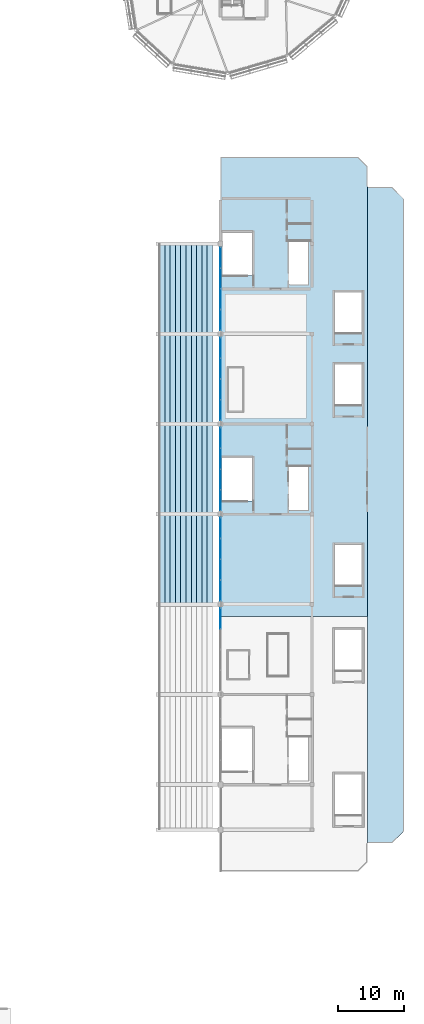
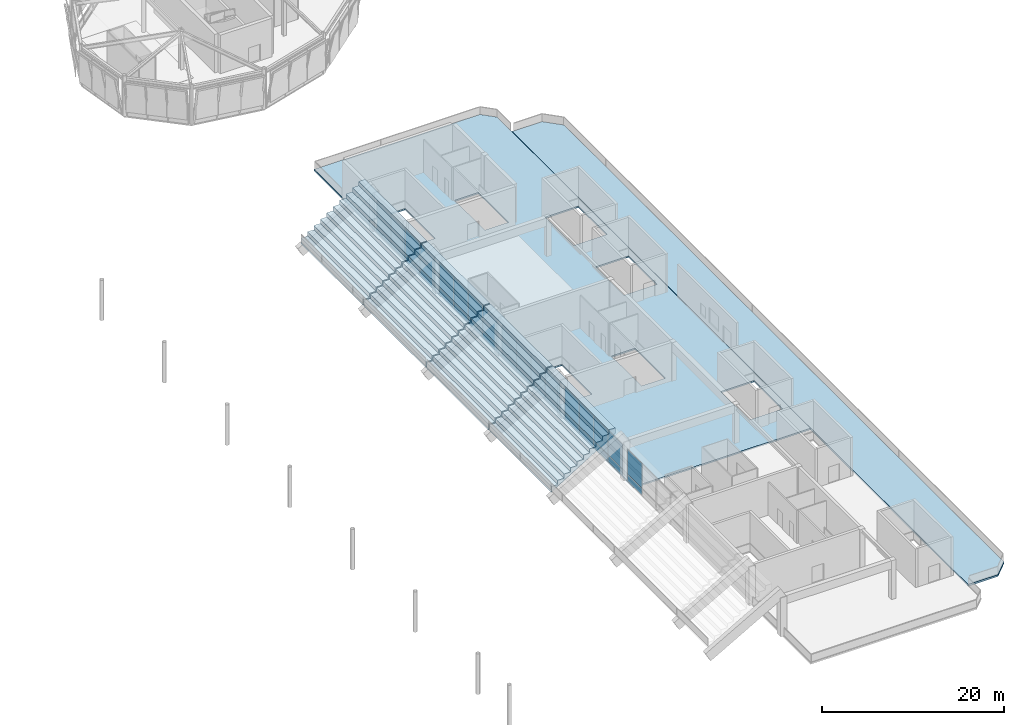
# One storey, part 62 of 90: 34 plates, 6 slabs, 5 elements without a shape of their own.
"""IFC4 building model written with IfcOpenShell, lengths in metres."""

from ifc_helpers import new_model, si_unit, direction, frame, origin, origin_2d, place, context, subcontext, project, spatial, polyline, rectangle, outline, extrude, material, layer, layer_set, type_object, element, aggregate, save


model = new_model("IFC4")

# Units and contexts
model_context = context("Model", 3, precision=1e-05, world=origin(), true_north=direction((0.0, 1.0)))
body_context = subcontext(model_context, "Body", "Model", "MODEL_VIEW")
ifc_project = project(units=[si_unit("LENGTHUNIT", "METRE"), si_unit("AREAUNIT", "SQUARE_METRE"), si_unit("VOLUMEUNIT", "CUBIC_METRE"), si_unit("PLANEANGLEUNIT", "RADIAN"), si_unit("MASSUNIT", "GRAM", prefix="KILO")], contexts=[model_context])

# Site, building, storey
site_placement = place(None, origin())
site = spatial("IfcSite", under=ifc_project, at=site_placement, CompositionType="ELEMENT")
building_placement = place(site_placement, origin())
building = spatial("IfcBuilding", under=site, at=building_placement, Name="Linyun Crest Stadium", CompositionType="ELEMENT")
storey_placement = place(building_placement, frame((0.0, 0.0, 21.0)))
storey = spatial("IfcBuildingStorey", under=building, at=storey_placement, Name="L05", CompositionType="ELEMENT", Elevation=21.0)

# Slab
ifc_material_1 = material(Name="Concrete C40", Category="concrete")
ifc_layer_1 = layer(ifc_material_1, 0.199951171875)
ifc_layer_set_1 = layer_set([ifc_layer_1], Name="Concrete C40")
slab_type_1 = type_object("IfcSlabType", Name="FS02", PredefinedType="FLOOR", material=ifc_layer_set_1)
slab_1_placement = place(storey_placement, frame((0.0, 0.0, -0.199951171875)))
element("IfcSlab", 1, at=slab_1_placement, inside=storey, type_object=slab_type_1, Name="Slab FS02 V2 L05 27", PredefinedType="FLOOR", context=body_context, shape_type="SweptSolid", body=[
    extrude(outline(polyline([(70.0, -13.489990234375), (92.39990234375, -13.489990234375), (92.39990234375, 55.18505859375), (91.0, 56.5849609375), (70.0, 56.5849609375), (70.0, -13.489990234375)]), holes=[polyline([(70.199951171875, 4.14501953125), (70.199951171875, 10.72509765625), (74.89990234375, 10.72509765625), (74.89990234375, 4.14501953125), (70.199951171875, 4.14501953125)]), polyline([(80.39990234375, 2.77490234375), (80.39990234375, 9.375), (83.39990234375, 9.375), (83.39990234375, 2.77490234375), (80.39990234375, 2.77490234375)]), polyline([(70.22509765625, 38.52001953125), (70.22509765625, 45.10009765625), (74.89990234375, 45.10009765625), (74.89990234375, 38.52001953125), (70.22509765625, 38.52001953125)]), polyline([(80.39990234375, 37.14990234375), (80.39990234375, 43.75), (83.39990234375, 43.75), (83.39990234375, 37.14990234375), (80.39990234375, 37.14990234375)]), polyline([(87.39990234375, -8.75), (87.39990234375, -2.5), (91.60009765625, -2.5), (91.60009765625, -8.75), (87.39990234375, -8.75)]), polyline([(87.39990234375, 18.75), (87.39990234375, 25.0), (91.60009765625, 25.0), (91.60009765625, 18.75), (87.39990234375, 18.75)]), polyline([(87.39990234375, 29.75), (87.39990234375, 36.0), (91.60009765625, 36.0), (91.60009765625, 29.75), (87.39990234375, 29.75)])]), origin(), (0.0, 0.0, 1.0), 0.199951171875),
])

# Curtain wall, plate
ifc_material_2 = material(Name="Verdigris steel and low-E curtain wall assembly", Category="steel")
curtain_wall_type = type_object("IfcCurtainWallType", Name="MCW01", PredefinedType="NOTDEFINED", material=ifc_material_2)
curtain_wall_1_placement = place(storey_placement, origin())
curtain_wall_1 = element("IfcCurtainWall", 2, at=curtain_wall_1_placement, inside=storey, type_object=curtain_wall_type, Name="CWR-090", PredefinedType="NOTDEFINED")
ifc_material_3 = material(Name="Double silver low-E insulated glass", Category="glass")
ifc_layer_2 = layer(ifc_material_3, 0.02587890625)
ifc_layer_set_2 = layer_set([ifc_layer_2], Name="Double silver low-E insulated glass")
plate_type_1 = type_object("IfcPlateType", Name="GP01", PredefinedType="CURTAIN_PANEL", material=ifc_layer_set_2)
plate_1_placement = place(storey_placement, frame((70.0, -13.756103515625, 0.9248046875), z_axis=(0.0, 0.0, 1.0), x_axis=(0.0, 1.0, 0.0)))
plate_1 = element("IfcPlate", 3, at=plate_1_placement, type_object=plate_type_1, Name="CWR-090 panel 4.2", PredefinedType="CURTAIN_PANEL", context=body_context, shape_type="SweptSolid", body=[
    extrude(rectangle(XDim=3.112548828125, YDim=0.02587890625, at=origin_2d()), origin(), (0.0, 0.0, 1.0), 3.300048828125),
])

# Curtain wall, plates
curtain_wall_2_placement = place(storey_placement, origin())
curtain_wall_2 = element("IfcCurtainWall", 4, at=curtain_wall_2_placement, inside=storey, type_object=curtain_wall_type, Name="CWR-099", PredefinedType="NOTDEFINED")
plate_2_placement = place(storey_placement, frame((70.0, -9.493896484375, 0.9248046875), z_axis=(0.0, 0.0, 1.0), x_axis=(0.0, 1.0, 0.0)))
plate_2 = element("IfcPlate", 5, at=plate_2_placement, type_object=plate_type_1, Name="CWR-099 panel 1.2", PredefinedType="CURTAIN_PANEL", context=body_context, shape_type="SweptSolid", body=[
    extrude(rectangle(XDim=3.112548828125, YDim=0.02587890625, at=origin_2d()), origin(), (0.0, 0.0, 1.0), 3.300048828125),
])
plate_3_placement = place(storey_placement, frame((70.0, -6.3310546875, 0.9248046875), z_axis=(0.0, 0.0, 1.0), x_axis=(0.0, 1.0, 0.0)))
plate_3 = element("IfcPlate", 6, at=plate_3_placement, type_object=plate_type_1, Name="CWR-099 panel 2.2", PredefinedType="CURTAIN_PANEL", context=body_context, shape_type="SweptSolid", body=[
    extrude(rectangle(XDim=3.112548828125, YDim=0.02587890625, at=origin_2d()), origin(), (0.0, 0.0, 1.0), 3.300048828125),
])
plate_4_placement = place(storey_placement, frame((70.0, -3.1689453125, 0.9248046875), z_axis=(0.0, 0.0, 1.0), x_axis=(0.0, 1.0, 0.0)))
plate_4 = element("IfcPlate", 7, at=plate_4_placement, type_object=plate_type_1, Name="CWR-099 panel 3.2", PredefinedType="CURTAIN_PANEL", context=body_context, shape_type="SweptSolid", body=[
    extrude(rectangle(XDim=3.112548828125, YDim=0.02587890625, at=origin_2d()), origin(), (0.0, 0.0, 1.0), 3.300048828125),
])
plate_5_placement = place(storey_placement, frame((70.0, -0.006103515625, 0.9248046875), z_axis=(0.0, 0.0, 1.0), x_axis=(0.0, 1.0, 0.0)))
plate_5 = element("IfcPlate", 8, at=plate_5_placement, type_object=plate_type_1, Name="CWR-099 panel 4.2", PredefinedType="CURTAIN_PANEL", context=body_context, shape_type="SweptSolid", body=[
    extrude(rectangle(XDim=3.112548828125, YDim=0.02587890625, at=origin_2d()), origin(), (0.0, 0.0, 1.0), 3.300048828125),
])

curtain_wall_3_placement = place(storey_placement, origin())
curtain_wall_3 = element("IfcCurtainWall", 9, at=curtain_wall_3_placement, inside=storey, type_object=curtain_wall_type, Name="CWR-108", PredefinedType="NOTDEFINED")
plate_6_placement = place(storey_placement, frame((70.0, 4.256103515625, 0.9248046875), z_axis=(0.0, 0.0, 1.0), x_axis=(0.0, 1.0, 0.0)))
plate_6 = element("IfcPlate", 10, at=plate_6_placement, type_object=plate_type_1, Name="CWR-108 panel 1.2", PredefinedType="CURTAIN_PANEL", context=body_context, shape_type="SweptSolid", body=[
    extrude(rectangle(XDim=3.112548828125, YDim=0.02587890625, at=origin_2d()), origin(), (0.0, 0.0, 1.0), 3.300048828125),
])
plate_7_placement = place(storey_placement, frame((70.0, 7.4189453125, 0.9248046875), z_axis=(0.0, 0.0, 1.0), x_axis=(0.0, 1.0, 0.0)))
plate_7 = element("IfcPlate", 11, at=plate_7_placement, type_object=plate_type_1, Name="CWR-108 panel 2.2", PredefinedType="CURTAIN_PANEL", context=body_context, shape_type="SweptSolid", body=[
    extrude(rectangle(XDim=3.112548828125, YDim=0.02587890625, at=origin_2d()), origin(), (0.0, 0.0, 1.0), 3.300048828125),
])
plate_8_placement = place(storey_placement, frame((70.0, 10.5810546875, 0.9248046875), z_axis=(0.0, 0.0, 1.0), x_axis=(0.0, 1.0, 0.0)))
plate_8 = element("IfcPlate", 12, at=plate_8_placement, type_object=plate_type_1, Name="CWR-108 panel 3.2", PredefinedType="CURTAIN_PANEL", context=body_context, shape_type="SweptSolid", body=[
    extrude(rectangle(XDim=3.112548828125, YDim=0.02587890625, at=origin_2d()), origin(), (0.0, 0.0, 1.0), 3.300048828125),
])
plate_9_placement = place(storey_placement, frame((70.0, 13.743896484375, 0.9248046875), z_axis=(0.0, 0.0, 1.0), x_axis=(0.0, 1.0, 0.0)))
plate_9 = element("IfcPlate", 13, at=plate_9_placement, type_object=plate_type_1, Name="CWR-108 panel 4.2", PredefinedType="CURTAIN_PANEL", context=body_context, shape_type="SweptSolid", body=[
    extrude(rectangle(XDim=3.112548828125, YDim=0.02587890625, at=origin_2d()), origin(), (0.0, 0.0, 1.0), 3.300048828125),
])

curtain_wall_4_placement = place(storey_placement, origin())
curtain_wall_4 = element("IfcCurtainWall", 14, at=curtain_wall_4_placement, inside=storey, type_object=curtain_wall_type, Name="CWR-117", PredefinedType="NOTDEFINED")
plate_10_placement = place(storey_placement, frame((70.0, 18.006103515625, 0.9248046875), z_axis=(0.0, 0.0, 1.0), x_axis=(0.0, 1.0, 0.0)))
plate_10 = element("IfcPlate", 15, at=plate_10_placement, type_object=plate_type_1, Name="CWR-117 panel 1.2", PredefinedType="CURTAIN_PANEL", context=body_context, shape_type="SweptSolid", body=[
    extrude(rectangle(XDim=3.112548828125, YDim=0.02587890625, at=origin_2d()), origin(), (0.0, 0.0, 1.0), 3.300048828125),
])
plate_11_placement = place(storey_placement, frame((70.0, 21.1689453125, 0.9248046875), z_axis=(0.0, 0.0, 1.0), x_axis=(0.0, 1.0, 0.0)))
plate_11 = element("IfcPlate", 16, at=plate_11_placement, type_object=plate_type_1, Name="CWR-117 panel 2.2", PredefinedType="CURTAIN_PANEL", context=body_context, shape_type="SweptSolid", body=[
    extrude(rectangle(XDim=3.112548828125, YDim=0.02587890625, at=origin_2d()), origin(), (0.0, 0.0, 1.0), 3.300048828125),
])
plate_12_placement = place(storey_placement, frame((70.0, 24.3310546875, 0.9248046875), z_axis=(0.0, 0.0, 1.0), x_axis=(0.0, 1.0, 0.0)))
plate_12 = element("IfcPlate", 17, at=plate_12_placement, type_object=plate_type_1, Name="CWR-117 panel 3.2", PredefinedType="CURTAIN_PANEL", context=body_context, shape_type="SweptSolid", body=[
    extrude(rectangle(XDim=3.112548828125, YDim=0.02587890625, at=origin_2d()), origin(), (0.0, 0.0, 1.0), 3.300048828125),
])
plate_13_placement = place(storey_placement, frame((70.0, 27.493896484375, 0.9248046875), z_axis=(0.0, 0.0, 1.0), x_axis=(0.0, 1.0, 0.0)))
plate_13 = element("IfcPlate", 18, at=plate_13_placement, type_object=plate_type_1, Name="CWR-117 panel 4.2", PredefinedType="CURTAIN_PANEL", context=body_context, shape_type="SweptSolid", body=[
    extrude(rectangle(XDim=3.112548828125, YDim=0.02587890625, at=origin_2d()), origin(), (0.0, 0.0, 1.0), 3.300048828125),
])

curtain_wall_5_placement = place(storey_placement, origin())
curtain_wall_5 = element("IfcCurtainWall", 19, at=curtain_wall_5_placement, inside=storey, type_object=curtain_wall_type, Name="CWR-126", PredefinedType="NOTDEFINED")
plate_14_placement = place(storey_placement, frame((70.0, 31.756103515625, 0.9248046875), z_axis=(0.0, 0.0, 1.0), x_axis=(0.0, 1.0, 0.0)))
plate_14 = element("IfcPlate", 20, at=plate_14_placement, type_object=plate_type_1, Name="CWR-126 panel 1.2", PredefinedType="CURTAIN_PANEL", context=body_context, shape_type="SweptSolid", body=[
    extrude(rectangle(XDim=3.112548828125, YDim=0.02587890625, at=origin_2d()), origin(), (0.0, 0.0, 1.0), 3.300048828125),
])
plate_15_placement = place(storey_placement, frame((70.0, 34.9189453125, 0.9248046875), z_axis=(0.0, 0.0, 1.0), x_axis=(0.0, 1.0, 0.0)))
plate_15 = element("IfcPlate", 21, at=plate_15_placement, type_object=plate_type_1, Name="CWR-126 panel 2.2", PredefinedType="CURTAIN_PANEL", context=body_context, shape_type="SweptSolid", body=[
    extrude(rectangle(XDim=3.112548828125, YDim=0.02587890625, at=origin_2d()), origin(), (0.0, 0.0, 1.0), 3.300048828125),
])
plate_16_placement = place(storey_placement, frame((70.0, 38.0810546875, 0.9248046875), z_axis=(0.0, 0.0, 1.0), x_axis=(0.0, 1.0, 0.0)))
plate_16 = element("IfcPlate", 22, at=plate_16_placement, type_object=plate_type_1, Name="CWR-126 panel 3.2", PredefinedType="CURTAIN_PANEL", context=body_context, shape_type="SweptSolid", body=[
    extrude(rectangle(XDim=3.112548828125, YDim=0.02587890625, at=origin_2d()), origin(), (0.0, 0.0, 1.0), 3.300048828125),
])
plate_17_placement = place(storey_placement, frame((70.0, 41.243896484375, 0.9248046875), z_axis=(0.0, 0.0, 1.0), x_axis=(0.0, 1.0, 0.0)))
plate_17 = element("IfcPlate", 23, at=plate_17_placement, type_object=plate_type_1, Name="CWR-126 panel 4.2", PredefinedType="CURTAIN_PANEL", context=body_context, shape_type="SweptSolid", body=[
    extrude(rectangle(XDim=3.112548828125, YDim=0.02587890625, at=origin_2d()), origin(), (0.0, 0.0, 1.0), 3.300048828125),
])

# Plate
ifc_material_4 = material(Name="Celadon glazed ceramic faience insulated spandrel")
ifc_layer_3 = layer(ifc_material_4, 0.0419921875)
ifc_layer_set_3 = layer_set([ifc_layer_3], Name="Celadon glazed ceramic faience insulated spandrel")
plate_type_2 = type_object("IfcPlateType", Name="SP01", PredefinedType="SHEET", material=ifc_layer_set_3)
plate_18_placement = place(storey_placement, frame((70.0, -13.756103515625, 0.02490234375), z_axis=(0.0, 0.0, 1.0), x_axis=(0.0, 1.0, 0.0)))
plate_18 = element("IfcPlate", 24, at=plate_18_placement, type_object=plate_type_2, Name="CWR-090 panel 4.1", PredefinedType="SHEET", context=body_context, shape_type="SweptSolid", body=[
    extrude(rectangle(XDim=3.112548828125, YDim=0.0419921875, at=origin_2d()), origin(), (0.0, 0.0, 1.0), 0.85009765625),
])

aggregate(curtain_wall_1, [plate_18, plate_1])

plate_19_placement = place(storey_placement, frame((70.0, -9.493896484375, 0.02490234375), z_axis=(0.0, 0.0, 1.0), x_axis=(0.0, 1.0, 0.0)))
plate_19 = element("IfcPlate", 25, at=plate_19_placement, type_object=plate_type_2, Name="CWR-099 panel 1.1", PredefinedType="SHEET", context=body_context, shape_type="SweptSolid", body=[
    extrude(rectangle(XDim=3.112548828125, YDim=0.0419921875, at=origin_2d()), origin(), (0.0, 0.0, 1.0), 0.85009765625),
])

plate_20_placement = place(storey_placement, frame((70.0, -6.3310546875, 0.02490234375), z_axis=(0.0, 0.0, 1.0), x_axis=(0.0, 1.0, 0.0)))
plate_20 = element("IfcPlate", 26, at=plate_20_placement, type_object=plate_type_2, Name="CWR-099 panel 2.1", PredefinedType="SHEET", context=body_context, shape_type="SweptSolid", body=[
    extrude(rectangle(XDim=3.112548828125, YDim=0.0419921875, at=origin_2d()), origin(), (0.0, 0.0, 1.0), 0.85009765625),
])

plate_21_placement = place(storey_placement, frame((70.0, -3.1689453125, 0.02490234375), z_axis=(0.0, 0.0, 1.0), x_axis=(0.0, 1.0, 0.0)))
plate_21 = element("IfcPlate", 27, at=plate_21_placement, type_object=plate_type_2, Name="CWR-099 panel 3.1", PredefinedType="SHEET", context=body_context, shape_type="SweptSolid", body=[
    extrude(rectangle(XDim=3.112548828125, YDim=0.0419921875, at=origin_2d()), origin(), (0.0, 0.0, 1.0), 0.85009765625),
])

plate_22_placement = place(storey_placement, frame((70.0, -0.006103515625, 0.02490234375), z_axis=(0.0, 0.0, 1.0), x_axis=(0.0, 1.0, 0.0)))
plate_22 = element("IfcPlate", 28, at=plate_22_placement, type_object=plate_type_2, Name="CWR-099 panel 4.1", PredefinedType="SHEET", context=body_context, shape_type="SweptSolid", body=[
    extrude(rectangle(XDim=3.112548828125, YDim=0.0419921875, at=origin_2d()), origin(), (0.0, 0.0, 1.0), 0.85009765625),
])

aggregate(curtain_wall_2, [plate_19, plate_2, plate_20, plate_3, plate_21, plate_4, plate_22, plate_5])

plate_23_placement = place(storey_placement, frame((70.0, 4.256103515625, 0.02490234375), z_axis=(0.0, 0.0, 1.0), x_axis=(0.0, 1.0, 0.0)))
plate_23 = element("IfcPlate", 29, at=plate_23_placement, type_object=plate_type_2, Name="CWR-108 panel 1.1", PredefinedType="SHEET", context=body_context, shape_type="SweptSolid", body=[
    extrude(rectangle(XDim=3.112548828125, YDim=0.0419921875, at=origin_2d()), origin(), (0.0, 0.0, 1.0), 0.85009765625),
])

plate_24_placement = place(storey_placement, frame((70.0, 7.4189453125, 0.02490234375), z_axis=(0.0, 0.0, 1.0), x_axis=(0.0, 1.0, 0.0)))
plate_24 = element("IfcPlate", 30, at=plate_24_placement, type_object=plate_type_2, Name="CWR-108 panel 2.1", PredefinedType="SHEET", context=body_context, shape_type="SweptSolid", body=[
    extrude(rectangle(XDim=3.112548828125, YDim=0.0419921875, at=origin_2d()), origin(), (0.0, 0.0, 1.0), 0.85009765625),
])

plate_25_placement = place(storey_placement, frame((70.0, 10.5810546875, 0.02490234375), z_axis=(0.0, 0.0, 1.0), x_axis=(0.0, 1.0, 0.0)))
plate_25 = element("IfcPlate", 31, at=plate_25_placement, type_object=plate_type_2, Name="CWR-108 panel 3.1", PredefinedType="SHEET", context=body_context, shape_type="SweptSolid", body=[
    extrude(rectangle(XDim=3.112548828125, YDim=0.0419921875, at=origin_2d()), origin(), (0.0, 0.0, 1.0), 0.85009765625),
])

plate_26_placement = place(storey_placement, frame((70.0, 13.743896484375, 0.02490234375), z_axis=(0.0, 0.0, 1.0), x_axis=(0.0, 1.0, 0.0)))
plate_26 = element("IfcPlate", 32, at=plate_26_placement, type_object=plate_type_2, Name="CWR-108 panel 4.1", PredefinedType="SHEET", context=body_context, shape_type="SweptSolid", body=[
    extrude(rectangle(XDim=3.112548828125, YDim=0.0419921875, at=origin_2d()), origin(), (0.0, 0.0, 1.0), 0.85009765625),
])

aggregate(curtain_wall_3, [plate_23, plate_6, plate_24, plate_7, plate_25, plate_8, plate_26, plate_9])

plate_27_placement = place(storey_placement, frame((70.0, 18.006103515625, 0.02490234375), z_axis=(0.0, 0.0, 1.0), x_axis=(0.0, 1.0, 0.0)))
plate_27 = element("IfcPlate", 33, at=plate_27_placement, type_object=plate_type_2, Name="CWR-117 panel 1.1", PredefinedType="SHEET", context=body_context, shape_type="SweptSolid", body=[
    extrude(rectangle(XDim=3.112548828125, YDim=0.0419921875, at=origin_2d()), origin(), (0.0, 0.0, 1.0), 0.85009765625),
])

plate_28_placement = place(storey_placement, frame((70.0, 21.1689453125, 0.02490234375), z_axis=(0.0, 0.0, 1.0), x_axis=(0.0, 1.0, 0.0)))
plate_28 = element("IfcPlate", 34, at=plate_28_placement, type_object=plate_type_2, Name="CWR-117 panel 2.1", PredefinedType="SHEET", context=body_context, shape_type="SweptSolid", body=[
    extrude(rectangle(XDim=3.112548828125, YDim=0.0419921875, at=origin_2d()), origin(), (0.0, 0.0, 1.0), 0.85009765625),
])

plate_29_placement = place(storey_placement, frame((70.0, 24.3310546875, 0.02490234375), z_axis=(0.0, 0.0, 1.0), x_axis=(0.0, 1.0, 0.0)))
plate_29 = element("IfcPlate", 35, at=plate_29_placement, type_object=plate_type_2, Name="CWR-117 panel 3.1", PredefinedType="SHEET", context=body_context, shape_type="SweptSolid", body=[
    extrude(rectangle(XDim=3.112548828125, YDim=0.0419921875, at=origin_2d()), origin(), (0.0, 0.0, 1.0), 0.85009765625),
])

plate_30_placement = place(storey_placement, frame((70.0, 27.493896484375, 0.02490234375), z_axis=(0.0, 0.0, 1.0), x_axis=(0.0, 1.0, 0.0)))
plate_30 = element("IfcPlate", 36, at=plate_30_placement, type_object=plate_type_2, Name="CWR-117 panel 4.1", PredefinedType="SHEET", context=body_context, shape_type="SweptSolid", body=[
    extrude(rectangle(XDim=3.112548828125, YDim=0.0419921875, at=origin_2d()), origin(), (0.0, 0.0, 1.0), 0.85009765625),
])

aggregate(curtain_wall_4, [plate_27, plate_10, plate_28, plate_11, plate_29, plate_12, plate_30, plate_13])

plate_31_placement = place(storey_placement, frame((70.0, 31.756103515625, 0.02490234375), z_axis=(0.0, 0.0, 1.0), x_axis=(0.0, 1.0, 0.0)))
plate_31 = element("IfcPlate", 37, at=plate_31_placement, type_object=plate_type_2, Name="CWR-126 panel 1.1", PredefinedType="SHEET", context=body_context, shape_type="SweptSolid", body=[
    extrude(rectangle(XDim=3.112548828125, YDim=0.0419921875, at=origin_2d()), origin(), (0.0, 0.0, 1.0), 0.85009765625),
])

plate_32_placement = place(storey_placement, frame((70.0, 34.9189453125, 0.02490234375), z_axis=(0.0, 0.0, 1.0), x_axis=(0.0, 1.0, 0.0)))
plate_32 = element("IfcPlate", 38, at=plate_32_placement, type_object=plate_type_2, Name="CWR-126 panel 2.1", PredefinedType="SHEET", context=body_context, shape_type="SweptSolid", body=[
    extrude(rectangle(XDim=3.112548828125, YDim=0.0419921875, at=origin_2d()), origin(), (0.0, 0.0, 1.0), 0.85009765625),
])

plate_33_placement = place(storey_placement, frame((70.0, 38.0810546875, 0.02490234375), z_axis=(0.0, 0.0, 1.0), x_axis=(0.0, 1.0, 0.0)))
plate_33 = element("IfcPlate", 39, at=plate_33_placement, type_object=plate_type_2, Name="CWR-126 panel 3.1", PredefinedType="SHEET", context=body_context, shape_type="SweptSolid", body=[
    extrude(rectangle(XDim=3.112548828125, YDim=0.0419921875, at=origin_2d()), origin(), (0.0, 0.0, 1.0), 0.85009765625),
])

plate_34_placement = place(storey_placement, frame((70.0, 41.243896484375, 0.02490234375), z_axis=(0.0, 0.0, 1.0), x_axis=(0.0, 1.0, 0.0)))
plate_34 = element("IfcPlate", 40, at=plate_34_placement, type_object=plate_type_2, Name="CWR-126 panel 4.1", PredefinedType="SHEET", context=body_context, shape_type="SweptSolid", body=[
    extrude(rectangle(XDim=3.112548828125, YDim=0.0419921875, at=origin_2d()), origin(), (0.0, 0.0, 1.0), 0.85009765625),
])

aggregate(curtain_wall_5, [plate_31, plate_14, plate_32, plate_15, plate_33, plate_16, plate_34, plate_17])

# Slabs
ifc_material_5 = material(Name="Precast concrete C50", Category="concrete")
ifc_layer_4 = layer(ifc_material_5, 0.2099609375)
ifc_layer_set_4 = layer_set([ifc_layer_4], Name="Precast concrete C50")
slab_type_2 = type_object("IfcSlabType", Name="ST06", PredefinedType="USERDEFINED", material=ifc_layer_set_4)
for number, where, z_axis, x_axis, name in (
    (41, (60.699951171875, -11.544921875, 1.550048828125), (0.0, 0.0, 1.0), (1.0, 0.0, 0.0), "Precast seating tier ST06 V2 32"),
    (42, (60.699951171875, 2.205078125, 1.550048828125), (0.0, 0.0, 1.0), (1.0, 0.0, 0.0), "Precast seating tier ST06 V2 40"),
    (43, (60.699951171875, 15.955078125, 1.550048828125), (0.0, 0.0, 1.0), (1.0, 0.0, 0.0), "Precast seating tier ST06 V2 48"),
    (44, (60.699951171875, 29.705078125, 1.550048828125), (0.0, 0.0, 1.0), (1.0, 0.0, 0.0), "Precast seating tier ST06 V2 56"),
):
    element("IfcSlab", number, at=place(storey_placement, frame(where, z_axis=z_axis, x_axis=x_axis)), inside=storey, type_object=slab_type_2, Name=name, ObjectType="SEATING TIER", PredefinedType="USERDEFINED", context=body_context, shape_type="SweptSolid", body=[
        extrude(outline(polyline([(0.0, 0.0), (0.0, -0.56005859375), (0.81005859375, -0.56005859375), (0.81005859375, -1.1201171875), (1.6201171875, -1.1201171875), (1.6201171875, -1.679931640625), (2.429931640625, -1.679931640625), (2.429931640625, -2.239990234375), (3.239990234375, -2.239990234375), (3.239990234375, -2.800048828125), (4.050048828125, -2.800048828125), (4.050048828125, -3.360107421875), (4.860107421875, -3.360107421875), (4.860107421875, -3.919921875), (5.669921875, -3.919921875), (5.669921875, -4.47998046875), (6.47998046875, -4.47998046875), (6.47998046875, -5.0400390625), (7.2900390625, -5.0400390625), (7.2900390625, -5.60009765625), (8.10009765625, -5.60009765625), (8.10009765625, -4.830078125), (0.0, 0.2099609375), (0.0, 0.0)])), frame((0.0, 0.0, 0.0), z_axis=(0.0, 1.0, 0.0), x_axis=(1.0, 0.0, 0.0)), (0.0, 0.0, 1.0), 13.58984375),
    ])
ifc_material_6 = material(Name="Concrete C40", Category="concrete")
ifc_layer_5 = layer(ifc_material_6, 0.239990234375)
ifc_layer_set_5 = layer_set([ifc_layer_5], Name="Concrete C40")
slab_type_3 = type_object("IfcSlabType", Name="TS01", PredefinedType="FLOOR", material=ifc_layer_set_5)
slab_2_placement = place(storey_placement, frame((0.0, 0.0, -0.239990234375)))
element("IfcSlab", 45, at=slab_2_placement, inside=storey, type_object=slab_type_3, Name="Slab TS01 V2 L05 29", PredefinedType="FLOOR", context=body_context, shape_type="SweptSolid", body=[
    extrude(outline(polyline([(92.419921875, -48.0), (96.199951171875, -48.0), (98.0, -46.199951171875), (98.0, 50.199951171875), (96.199951171875, 52.0), (92.419921875, 52.0), (92.419921875, -48.0)])), origin(), (0.0, 0.0, 1.0), 0.239990234375),
])

save(model, "model.ifc")
